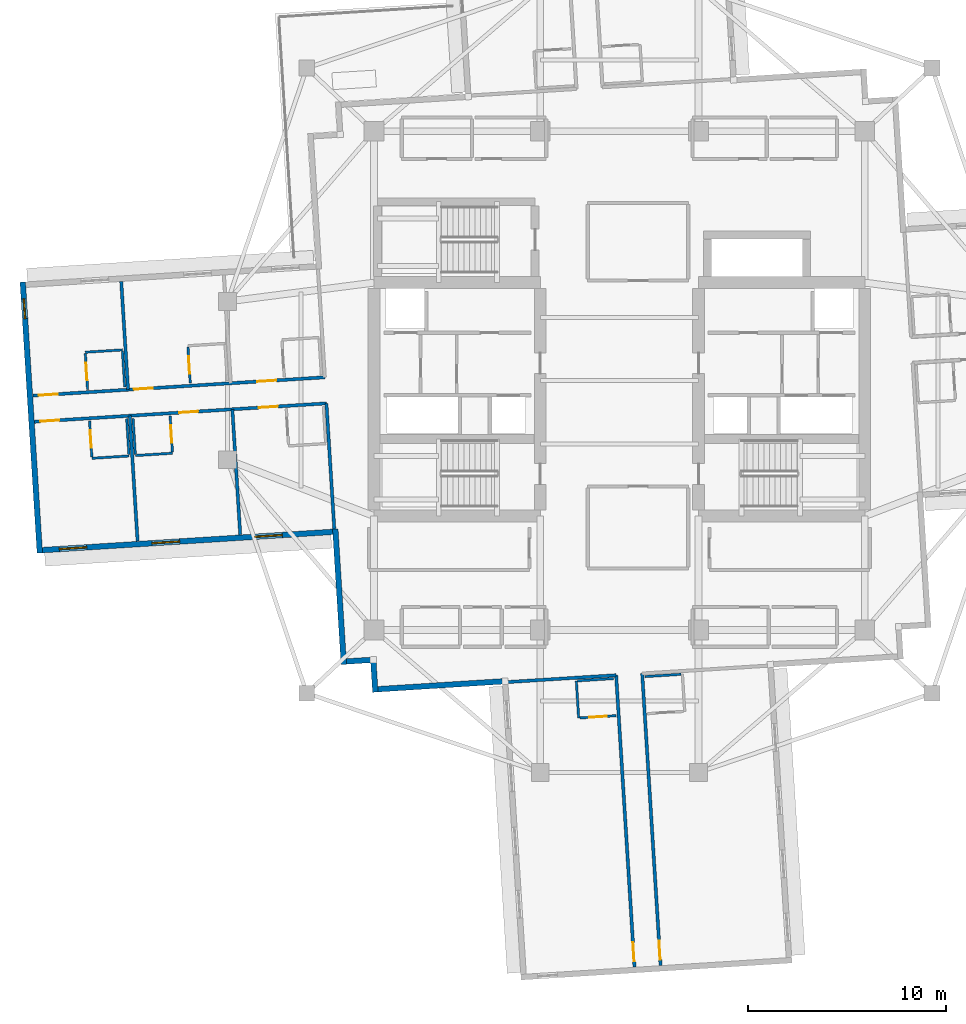
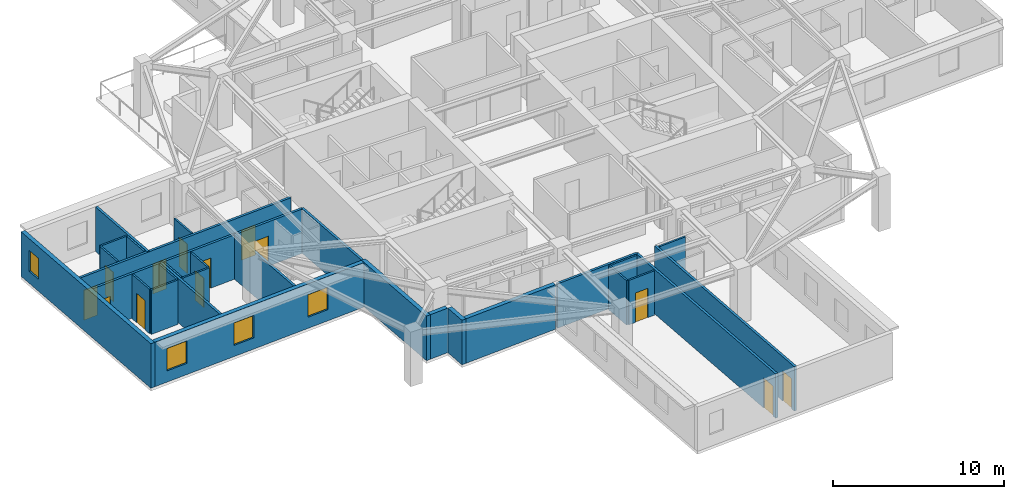
# One storey, part 3 of 13: 29 walls, 13 doors, 4 windows, 17 openings.
"""IFC4 building model written with IfcOpenShell, lengths in metres."""

from ifc_helpers import new_model, si_unit, direction, frame, frame_2d, origin, place, context, subcontext, project, spatial, rectangle, extrude, material, layer, layer_set, type_object, element, fill, save


model = new_model("IFC4")

# Units and contexts
model_context = context("Model", 3, precision=1e-05, world=origin(), true_north=direction((0.0, 1.0)))
body_context = subcontext(model_context, "Body", "Model", "MODEL_VIEW")
ifc_project = project(units=[si_unit("LENGTHUNIT", "METRE"), si_unit("AREAUNIT", "SQUARE_METRE"), si_unit("VOLUMEUNIT", "CUBIC_METRE"), si_unit("PLANEANGLEUNIT", "RADIAN"), si_unit("MASSUNIT", "GRAM", prefix="KILO")], contexts=[model_context])

# Site, building, storey
site_placement = place(None, origin())
site = spatial("IfcSite", under=ifc_project, at=site_placement, CompositionType="ELEMENT")
building_placement = place(site_placement, origin())
building = spatial("IfcBuilding", under=site, at=building_placement, Name="Qingluan Cross Belvedere", CompositionType="ELEMENT")
storey_placement = place(building_placement, frame((0.0, 0.0, 201.300048828125)))
storey = spatial("IfcBuildingStorey", under=building, at=storey_placement, Name="L50", CompositionType="ELEMENT", Elevation=201.300048828125)

# Wall, openings, doors
ifc_material_1 = material(Name="Gypsum plasterboard on steel stud acoustic partition", Category="steel")
ifc_layer_1 = layer(ifc_material_1, 0.159912109375, Name="CorridorPartition_160")
ifc_layer_set_1 = layer_set([ifc_layer_1], Name="Gypsum plasterboard on steel stud acoustic partition")
wall_type_1 = type_object("IfcWallType", Name="CorridorPartition_160", PredefinedType="PARTITIONING", material=ifc_layer_set_1)
wall_1_placement = place(storey_placement, frame((-14.889892578125, 0.165283203125, 0.0), z_axis=(0.0, 0.0, 1.0), x_axis=(-0.998027499025, -0.062778270041, 0.0)))
wall_1 = element("IfcWall", 1, at=wall_1_placement, inside=storey, type_object=wall_type_1, Name="Partition L50:W:c0", PredefinedType="PARTITIONING", context=body_context, shape_type="SweptSolid", body=[
    extrude(rectangle(XDim=14.78173828125, YDim=0.159912109375, at=frame_2d((7.390869140625, 0.0))), origin(), (0.0, 0.0, 1.0), 3.169921875),
])
opening_1_placement = place(wall_1_placement, frame((2.4560546875, 0.0, 0.0)))
opening_1 = element("IfcOpeningElement", 2, at=opening_1_placement, cuts=wall_1, Name="Opening GD-10", PredefinedType="OPENING", context=body_context, shape_type="SweptSolid", body=[
    extrude(rectangle(XDim=0.9599609375, YDim=2.14990234375, at=frame_2d((0.47998046875, 1.074951171875))), frame((0.0, 0.08984375, 0.0), z_axis=(0.0, -1.0, 0.0), x_axis=(1.0, 0.0, 0.0)), (0.0, 0.0, 1.0), 0.179931640625),
])
opening_2_placement = place(wall_1_placement, frame((8.700927734375, 0.0, 0.0)))
opening_2 = element("IfcOpeningElement", 3, at=opening_2_placement, cuts=wall_1, Name="Opening GD-10", PredefinedType="OPENING", context=body_context, shape_type="SweptSolid", body=[
    extrude(rectangle(XDim=0.9599609375, YDim=2.14990234375, at=frame_2d((0.47998046875, 1.074951171875))), frame((0.0, 0.08984375, 0.0), z_axis=(0.0, -1.0, 0.0), x_axis=(1.0, 0.0, 0.0)), (0.0, 0.0, 1.0), 0.179931640625),
])
opening_3_placement = place(wall_1_placement, frame((13.530029296875, 0.0, 0.0)))
opening_3 = element("IfcOpeningElement", 4, at=opening_3_placement, cuts=wall_1, Name="Opening GD-10", PredefinedType="OPENING", context=body_context, shape_type="SweptSolid", body=[
    extrude(rectangle(XDim=0.9599609375, YDim=2.14990234375, at=frame_2d((0.47998046875, 1.074951171875))), frame((0.0, 0.08984375, 0.0), z_axis=(0.0, -1.0, 0.0), x_axis=(1.0, 0.0, 0.0)), (0.0, 0.0, 1.0), 0.179931640625),
])
ifc_material_2 = material(Name="Timber oak fire-rated acoustic guestroom door", Category="wood")
door_type_1 = type_object("IfcDoorType", Name="GuestEntryDoor_FD60", OperationType="NOTDEFINED", PredefinedType="DOOR", material=ifc_material_2)
door_1_placement = place(opening_1_placement, origin())
door_1 = element("IfcDoor", 5, at=door_1_placement, inside=storey, type_object=door_type_1, Name="Guest entry fire door 5007", OperationType="SINGLE_SWING_LEFT", OverallHeight=2.14990234375, OverallWidth=0.9599609375, PredefinedType="DOOR", context=body_context, shape_type="SweptSolid", body=[
    extrude(rectangle(XDim=0.9599609375, YDim=2.14990234375, at=frame_2d((0.47998046875, 1.074951171875))), frame((0.0, 0.02490234375, 0.0), z_axis=(0.0, -1.0, 0.0), x_axis=(1.0, 0.0, 0.0)), (0.0, 0.0, 1.0), 0.050048828125),
])
fill(opening_1, door_1)
door_2_placement = place(opening_2_placement, origin())
door_2 = element("IfcDoor", 6, at=door_2_placement, inside=storey, type_object=door_type_1, Name="Guest entry fire door 5008", OperationType="SINGLE_SWING_LEFT", OverallHeight=2.14990234375, OverallWidth=0.9599609375, PredefinedType="DOOR", context=body_context, shape_type="SweptSolid", body=[
    extrude(rectangle(XDim=0.9599609375, YDim=2.14990234375, at=frame_2d((0.47998046875, 1.074951171875))), frame((0.0, 0.02490234375, 0.0), z_axis=(0.0, -1.0, 0.0), x_axis=(1.0, 0.0, 0.0)), (0.0, 0.0, 1.0), 0.050048828125),
])
fill(opening_2, door_2)
door_3_placement = place(opening_3_placement, origin())
door_3 = element("IfcDoor", 7, at=door_3_placement, inside=storey, type_object=door_type_1, Name="Guest entry fire door 5009", OperationType="SINGLE_SWING_LEFT", OverallHeight=2.14990234375, OverallWidth=0.9599609375, PredefinedType="DOOR", context=body_context, shape_type="SweptSolid", body=[
    extrude(rectangle(XDim=0.9599609375, YDim=2.14990234375, at=frame_2d((0.47998046875, 1.074951171875))), frame((0.0, 0.02490234375, 0.0), z_axis=(0.0, -1.0, 0.0), x_axis=(1.0, 0.0, 0.0)), (0.0, 0.0, 1.0), 0.050048828125),
])
fill(opening_3, door_3)

# Wall
wall_2_placement = place(storey_placement, frame((-24.8310546875, -0.460205078125, 0.0), z_axis=(0.0, 0.0, 1.0), x_axis=(-0.062817133463, 0.998025053665, 0.0)))
element("IfcWall", 8, at=wall_2_placement, inside=storey, type_object=wall_type_1, Name="Partition L50:W:d0_1", PredefinedType="PARTITIONING", context=body_context, shape_type="SweptSolid", body=[
    extrude(rectangle(XDim=5.47216796875, YDim=0.159912109375, at=frame_2d((2.736083984375, 0.0))), origin(), (0.0, 0.0, 1.0), 3.169921875),
])

# Wall, openings, doors
wall_3_placement = place(storey_placement, frame((-14.806884765625, -1.152099609375, 0.0), z_axis=(0.0, 0.0, 1.0), x_axis=(-0.998027564116, -0.062777235242, 0.0)))
wall_3 = element("IfcWall", 9, at=wall_3_placement, inside=storey, type_object=wall_type_1, Name="Partition L50:W:c1", PredefinedType="PARTITIONING", context=body_context, shape_type="SweptSolid", body=[
    extrude(rectangle(XDim=14.781982421875, YDim=0.159912109375, at=frame_2d((7.39111328125, 0.0))), origin(), (0.0, 0.0, 1.0), 3.169921875),
])
opening_4_placement = place(wall_3_placement, frame((2.4560546875, 0.0, 0.0)))
opening_4 = element("IfcOpeningElement", 10, at=opening_4_placement, cuts=wall_3, Name="Opening GD-10", PredefinedType="OPENING", context=body_context, shape_type="SweptSolid", body=[
    extrude(rectangle(XDim=0.9599609375, YDim=2.14990234375, at=frame_2d((0.47998046875, 1.074951171875))), frame((0.0, 0.08984375, 0.0), z_axis=(0.0, -1.0, 0.0), x_axis=(1.0, 0.0, 0.0)), (0.0, 0.0, 1.0), 0.179931640625),
])
opening_5_placement = place(wall_3_placement, frame((6.5009765625, 0.0, 0.0)))
opening_5 = element("IfcOpeningElement", 11, at=opening_5_placement, cuts=wall_3, Name="Opening GD-10", PredefinedType="OPENING", context=body_context, shape_type="SweptSolid", body=[
    extrude(rectangle(XDim=0.9599609375, YDim=2.14990234375, at=frame_2d((0.47998046875, 1.074951171875))), frame((0.0, 0.08984375, 0.0), z_axis=(0.0, -1.0, 0.0), x_axis=(1.0, 0.0, 0.0)), (0.0, 0.0, 1.0), 0.179931640625),
])
opening_6_placement = place(wall_3_placement, frame((13.530029296875, 0.0, 0.0)))
opening_6 = element("IfcOpeningElement", 12, at=opening_6_placement, cuts=wall_3, Name="Opening GD-10", PredefinedType="OPENING", context=body_context, shape_type="SweptSolid", body=[
    extrude(rectangle(XDim=0.9599609375, YDim=2.14990234375, at=frame_2d((0.47998046875, 1.074951171875))), frame((0.0, 0.08984375, 0.0), z_axis=(0.0, -1.0, 0.0), x_axis=(1.0, 0.0, 0.0)), (0.0, 0.0, 1.0), 0.179931640625),
])
door_4_placement = place(opening_4_placement, origin())
door_4 = element("IfcDoor", 13, at=door_4_placement, inside=storey, type_object=door_type_1, Name="Guest entry fire door 5010", OperationType="SINGLE_SWING_LEFT", OverallHeight=2.14990234375, OverallWidth=0.9599609375, PredefinedType="DOOR", context=body_context, shape_type="SweptSolid", body=[
    extrude(rectangle(XDim=0.9599609375, YDim=2.14990234375, at=frame_2d((0.47998046875, 1.074951171875))), frame((0.0, 0.02490234375, 0.0), z_axis=(0.0, -1.0, 0.0), x_axis=(1.0, 0.0, 0.0)), (0.0, 0.0, 1.0), 0.050048828125),
])
fill(opening_4, door_4)
door_5_placement = place(opening_5_placement, origin())
door_5 = element("IfcDoor", 14, at=door_5_placement, inside=storey, type_object=door_type_1, Name="Guest entry fire door 5011", OperationType="SINGLE_SWING_LEFT", OverallHeight=2.14990234375, OverallWidth=0.9599609375, PredefinedType="DOOR", context=body_context, shape_type="SweptSolid", body=[
    extrude(rectangle(XDim=0.9599609375, YDim=2.14990234375, at=frame_2d((0.47998046875, 1.074951171875))), frame((0.0, 0.02490234375, 0.0), z_axis=(0.0, -1.0, 0.0), x_axis=(1.0, 0.0, 0.0)), (0.0, 0.0, 1.0), 0.050048828125),
])
fill(opening_5, door_5)
door_6_placement = place(opening_6_placement, origin())
door_6 = element("IfcDoor", 15, at=door_6_placement, inside=storey, type_object=door_type_1, Name="Guest entry fire door 5012", OperationType="SINGLE_SWING_LEFT", OverallHeight=2.14990234375, OverallWidth=0.9599609375, PredefinedType="DOOR", context=body_context, shape_type="SweptSolid", body=[
    extrude(rectangle(XDim=0.9599609375, YDim=2.14990234375, at=frame_2d((0.47998046875, 1.074951171875))), frame((0.0, 0.02490234375, 0.0), z_axis=(0.0, -1.0, 0.0), x_axis=(1.0, 0.0, 0.0)), (0.0, 0.0, 1.0), 0.050048828125),
])
fill(opening_6, door_6)

# Walls
for number, where, z_axis, x_axis, name in (
    (16, (-14.806884765625, -1.152099609375, 0.0), (0.0, 0.0, 1.0), (0.062804215747, -0.998025866641, 0.0), "Partition L50:W:s1"),
    (17, (-19.560546875, -1.451171875, 0.0), (0.0, 0.0, 1.0), (0.062804215747, -0.998025866641, 0.0), "Partition L50:W:d1_0"),
    (18, (-24.748291015625, -1.777587890625, 0.0), (0.0, 0.0, 1.0), (0.062804215747, -0.998025866641, 0.0), "Partition L50:W:d1_1"),
):
    element("IfcWall", number, at=place(storey_placement, frame(where, z_axis=z_axis, x_axis=x_axis)), inside=storey, type_object=wall_type_1, Name=name, PredefinedType="PARTITIONING", context=body_context, shape_type="SweptSolid", body=[
        extrude(rectangle(XDim=6.351806640625, YDim=0.159912109375, at=frame_2d((3.17578125, 0.0))), origin(), (0.0, 0.0, 1.0), 3.169921875),
    ])

# Wall, opening, door
wall_4_placement = place(storey_placement, frame((1.152099609375, -14.806884765625, 0.0), z_axis=(0.0, 0.0, 1.0), x_axis=(0.062777235242, -0.998027564116, 0.0)))
wall_4 = element("IfcWall", 19, at=wall_4_placement, inside=storey, type_object=wall_type_1, Name="Partition L50:S:c0", PredefinedType="PARTITIONING", context=body_context, shape_type="SweptSolid", body=[
    extrude(rectangle(XDim=14.781982421875, YDim=0.159912109375, at=frame_2d((7.39111328125, 0.0))), origin(), (0.0, 0.0, 1.0), 3.169921875),
])
opening_7_placement = place(wall_4_placement, frame((13.530029296875, 0.0, 0.0)))
opening_7 = element("IfcOpeningElement", 20, at=opening_7_placement, cuts=wall_4, Name="Opening GD-10", PredefinedType="OPENING", context=body_context, shape_type="SweptSolid", body=[
    extrude(rectangle(XDim=0.9599609375, YDim=2.14990234375, at=frame_2d((0.47998046875, 1.074951171875))), frame((0.0, 0.08984375, 0.0), z_axis=(0.0, -1.0, 0.0), x_axis=(1.0, 0.0, 0.0)), (0.0, 0.0, 1.0), 0.179931640625),
])
door_7_placement = place(opening_7_placement, origin())
door_7 = element("IfcDoor", 21, at=door_7_placement, inside=storey, type_object=door_type_1, Name="Guest entry fire door 5017", OperationType="SINGLE_SWING_LEFT", OverallHeight=2.14990234375, OverallWidth=0.9599609375, PredefinedType="DOOR", context=body_context, shape_type="SweptSolid", body=[
    extrude(rectangle(XDim=0.9599609375, YDim=2.14990234375, at=frame_2d((0.47998046875, 1.074951171875))), frame((0.0, 0.02490234375, 0.0), z_axis=(0.0, -1.0, 0.0), x_axis=(1.0, 0.0, 0.0)), (0.0, 0.0, 1.0), 0.050048828125),
])
fill(opening_7, door_7)

wall_5_placement = place(storey_placement, frame((-0.165283203125, -14.889892578125, 0.0), z_axis=(0.0, 0.0, 1.0), x_axis=(0.062778270041, -0.998027499025, 0.0)))
wall_5 = element("IfcWall", 22, at=wall_5_placement, inside=storey, type_object=wall_type_1, Name="Partition L50:S:c1", PredefinedType="PARTITIONING", context=body_context, shape_type="SweptSolid", body=[
    extrude(rectangle(XDim=14.78173828125, YDim=0.159912109375, at=frame_2d((7.390869140625, 0.0))), origin(), (0.0, 0.0, 1.0), 3.169921875),
])
opening_8_placement = place(wall_5_placement, frame((13.530029296875, 0.0, 0.0)))
opening_8 = element("IfcOpeningElement", 23, at=opening_8_placement, cuts=wall_5, Name="Opening GD-10", PredefinedType="OPENING", context=body_context, shape_type="SweptSolid", body=[
    extrude(rectangle(XDim=0.9599609375, YDim=2.14990234375, at=frame_2d((0.47998046875, 1.074951171875))), frame((0.0, 0.08984375, 0.0), z_axis=(0.0, -1.0, 0.0), x_axis=(1.0, 0.0, 0.0)), (0.0, 0.0, 1.0), 0.179931640625),
])
door_8_placement = place(opening_8_placement, origin())
door_8 = element("IfcDoor", 24, at=door_8_placement, inside=storey, type_object=door_type_1, Name="Guest entry fire door 5018", OperationType="SINGLE_SWING_LEFT", OverallHeight=2.14990234375, OverallWidth=0.9599609375, PredefinedType="DOOR", context=body_context, shape_type="SweptSolid", body=[
    extrude(rectangle(XDim=0.9599609375, YDim=2.14990234375, at=frame_2d((0.47998046875, 1.074951171875))), frame((0.0, 0.02490234375, 0.0), z_axis=(0.0, -1.0, 0.0), x_axis=(1.0, 0.0, 0.0)), (0.0, 0.0, 1.0), 0.050048828125),
])
fill(opening_8, door_8)

# Wall
wall_6_placement = place(storey_placement, frame((-0.165283203125, -14.889892578125, 0.0), z_axis=(0.0, 0.0, 1.0), x_axis=(-0.998027992644, -0.062770422171, 0.0)))
element("IfcWall", 25, at=wall_6_placement, inside=storey, type_object=wall_type_1, Name="Partition L50:S:s1", PredefinedType="PARTITIONING", context=body_context, shape_type="SweptSolid", body=[
    extrude(rectangle(XDim=5.6201171875, YDim=0.159912109375, at=frame_2d((2.81005859375, 0.0))), origin(), (0.0, 0.0, 1.0), 3.169921875),
])

# Wall, opening, door
ifc_material_3 = material(Name="Moisture-resistant gypsum board lining")
ifc_layer_2 = layer(ifc_material_3, 0.1201171875, Name="EnsuiteWetPartition_120")
ifc_layer_set_2 = layer_set([ifc_layer_2], Name="Moisture-resistant gypsum board lining")
wall_type_2 = type_object("IfcWallType", Name="EnsuiteWetPartition_120", PredefinedType="PARTITIONING", material=ifc_layer_set_2)
wall_7_placement = place(storey_placement, frame((-21.68798828125, -0.1220703125, 0.0), z_axis=(0.0, 0.0, 1.0), x_axis=(-0.062912758763, 0.998019030272, 0.0)))
wall_7 = element("IfcWall", 26, at=wall_7_placement, inside=storey, type_object=wall_type_2, Name="Partition L50:W:bs0_1", PredefinedType="PARTITIONING", context=body_context, shape_type="SweptSolid", body=[
    extrude(rectangle(XDim=1.820068359375, YDim=0.1201171875, at=frame_2d((0.91015625, 0.0))), origin(), (0.0, 0.0, 1.0), 3.169921875),
])
opening_9_placement = place(wall_7_placement, frame((0.469970703125, 0.0, 0.0)))
opening_9 = element("IfcOpeningElement", 27, at=opening_9_placement, cuts=wall_7, Name="Opening BD-09", PredefinedType="OPENING", context=body_context, shape_type="SweptSolid", body=[
    extrude(rectangle(XDim=0.8798828125, YDim=2.10009765625, at=frame_2d((0.43994140625, 1.050048828125))), frame((0.0, 0.070068359375, 0.0), z_axis=(0.0, -1.0, 0.0), x_axis=(1.0, 0.0, 0.0)), (0.0, 0.0, 1.0), 0.14013671875),
])
ifc_material_4 = material(Name="Moisture-sealed timber en-suite door", Category="wood")
door_type_2 = type_object("IfcDoorType", Name="BathroomDoor_880", OperationType="NOTDEFINED", PredefinedType="DOOR", material=ifc_material_4)
door_9_placement = place(opening_9_placement, origin())
door_9 = element("IfcDoor", 28, at=door_9_placement, inside=storey, type_object=door_type_2, Name="Bathroom door 5008", OperationType="SINGLE_SWING_RIGHT", OverallHeight=2.10009765625, OverallWidth=0.8798828125, PredefinedType="DOOR", context=body_context, shape_type="SweptSolid", body=[
    extrude(rectangle(XDim=0.8798828125, YDim=2.10009765625, at=frame_2d((0.43994140625, 1.050048828125))), frame((0.0, 0.02490234375, 0.0), z_axis=(0.0, -1.0, 0.0), x_axis=(1.0, 0.0, 0.0)), (0.0, 0.0, 1.0), 0.050048828125),
])
fill(opening_9, door_9)

wall_8_placement = place(storey_placement, frame((-26.8759765625, -0.448486328125, 0.0), z_axis=(0.0, 0.0, 1.0), x_axis=(-0.062779145668, 0.998027443946, 0.0)))
wall_8 = element("IfcWall", 29, at=wall_8_placement, inside=storey, type_object=wall_type_2, Name="Partition L50:W:bs0_2", PredefinedType="PARTITIONING", context=body_context, shape_type="SweptSolid", body=[
    extrude(rectangle(XDim=1.820068359375, YDim=0.1201171875, at=frame_2d((0.91015625, 0.0))), origin(), (0.0, 0.0, 1.0), 3.169921875),
])
opening_10_placement = place(wall_8_placement, frame((0.469970703125, 0.0, 0.0)))
opening_10 = element("IfcOpeningElement", 30, at=opening_10_placement, cuts=wall_8, Name="Opening BD-09", PredefinedType="OPENING", context=body_context, shape_type="SweptSolid", body=[
    extrude(rectangle(XDim=0.8798828125, YDim=2.10009765625, at=frame_2d((0.43994140625, 1.050048828125))), frame((0.0, 0.070068359375, 0.0), z_axis=(0.0, -1.0, 0.0), x_axis=(1.0, 0.0, 0.0)), (0.0, 0.0, 1.0), 0.14013671875),
])
door_10_placement = place(opening_10_placement, origin())
door_10 = element("IfcDoor", 31, at=door_10_placement, inside=storey, type_object=door_type_2, Name="Bathroom door 5009", OperationType="SINGLE_SWING_RIGHT", OverallHeight=2.10009765625, OverallWidth=0.8798828125, PredefinedType="DOOR", context=body_context, shape_type="SweptSolid", body=[
    extrude(rectangle(XDim=0.8798828125, YDim=2.10009765625, at=frame_2d((0.43994140625, 1.050048828125))), frame((0.0, 0.02490234375, 0.0), z_axis=(0.0, -1.0, 0.0), x_axis=(1.0, 0.0, 0.0)), (0.0, 0.0, 1.0), 0.050048828125),
])
fill(opening_10, door_10)

# Walls
wall_9_placement = place(storey_placement, frame((-24.99951171875, -0.330322265625, 0.0), z_axis=(0.0, 0.0, 1.0), x_axis=(-0.062912758763, 0.998019030272, 0.0)))
element("IfcWall", 32, at=wall_9_placement, inside=storey, type_object=wall_type_2, Name="Partition L50:W:bw0_2", PredefinedType="PARTITIONING", context=body_context, shape_type="SweptSolid", body=[
    extrude(rectangle(XDim=1.820068359375, YDim=0.1201171875, at=frame_2d((0.91015625, 0.0))), origin(), (0.0, 0.0, 1.0), 3.169921875),
])
wall_10_placement = place(storey_placement, frame((-25.117919921875, 1.55078125, 0.0), z_axis=(0.0, 0.0, 1.0), x_axis=(-0.998030789148, -0.062725942896, 0.0)))
element("IfcWall", 33, at=wall_10_placement, inside=storey, type_object=wall_type_2, Name="Partition L50:W:bn0_2", PredefinedType="PARTITIONING", context=body_context, shape_type="SweptSolid", body=[
    extrude(rectangle(XDim=1.8798828125, YDim=0.1201171875, at=frame_2d((0.93994140625, 0.0))), origin(), (0.0, 0.0, 1.0), 3.169921875),
])

# Wall, opening, door
wall_11_placement = place(storey_placement, frame((-22.589111328125, -3.60546875, 0.0), z_axis=(0.0, 0.0, 1.0), x_axis=(-0.062912758763, 0.998019030272, 0.0)))
wall_11 = element("IfcWall", 34, at=wall_11_placement, inside=storey, type_object=wall_type_2, Name="Partition L50:W:bs1_1", PredefinedType="PARTITIONING", context=body_context, shape_type="SweptSolid", body=[
    extrude(rectangle(XDim=1.820068359375, YDim=0.1201171875, at=frame_2d((0.91015625, 0.0))), origin(), (0.0, 0.0, 1.0), 3.169921875),
])
opening_11_placement = place(wall_11_placement, frame((0.469970703125, 0.0, 0.0)))
opening_11 = element("IfcOpeningElement", 35, at=opening_11_placement, cuts=wall_11, Name="Opening BD-09", PredefinedType="OPENING", context=body_context, shape_type="SweptSolid", body=[
    extrude(rectangle(XDim=0.8798828125, YDim=2.10009765625, at=frame_2d((0.43994140625, 1.050048828125))), frame((0.0, 0.070068359375, 0.0), z_axis=(0.0, -1.0, 0.0), x_axis=(1.0, 0.0, 0.0)), (0.0, 0.0, 1.0), 0.14013671875),
])
door_11_placement = place(opening_11_placement, origin())
door_11 = element("IfcDoor", 36, at=door_11_placement, inside=storey, type_object=door_type_2, Name="Bathroom door 5011", OperationType="SINGLE_SWING_RIGHT", OverallHeight=2.10009765625, OverallWidth=0.8798828125, PredefinedType="DOOR", context=body_context, shape_type="SweptSolid", body=[
    extrude(rectangle(XDim=0.8798828125, YDim=2.10009765625, at=frame_2d((0.43994140625, 1.050048828125))), frame((0.0, 0.02490234375, 0.0), z_axis=(0.0, -1.0, 0.0), x_axis=(1.0, 0.0, 0.0)), (0.0, 0.0, 1.0), 0.050048828125),
])
fill(opening_11, door_11)

# Walls
wall_12_placement = place(storey_placement, frame((-24.465576171875, -3.723388671875, 0.0), z_axis=(0.0, 0.0, 1.0), x_axis=(-0.062779145668, 0.998027443946, 0.0)))
element("IfcWall", 37, at=wall_12_placement, inside=storey, type_object=wall_type_2, Name="Partition L50:W:bw1_1", PredefinedType="PARTITIONING", context=body_context, shape_type="SweptSolid", body=[
    extrude(rectangle(XDim=1.820068359375, YDim=0.1201171875, at=frame_2d((0.91015625, 0.0))), origin(), (0.0, 0.0, 1.0), 3.169921875),
])
wall_13_placement = place(storey_placement, frame((-22.585205078125, -3.67041015625, 0.0), z_axis=(0.0, 0.0, 1.0), x_axis=(-0.998030789148, -0.062725942896, 0.0)))
element("IfcWall", 38, at=wall_13_placement, inside=storey, type_object=wall_type_2, Name="Partition L50:W:bc1_1", PredefinedType="PARTITIONING", context=body_context, shape_type="SweptSolid", body=[
    extrude(rectangle(XDim=1.8798828125, YDim=0.1201171875, at=frame_2d((0.93994140625, 0.0))), origin(), (0.0, 0.0, 1.0), 3.169921875),
])

# Wall, opening, door
wall_14_placement = place(storey_placement, frame((-26.6611328125, -3.86181640625, 0.0), z_axis=(0.0, 0.0, 1.0), x_axis=(-0.062779145668, 0.998027443946, 0.0)))
wall_14 = element("IfcWall", 39, at=wall_14_placement, inside=storey, type_object=wall_type_2, Name="Partition L50:W:bs1_2", PredefinedType="PARTITIONING", context=body_context, shape_type="SweptSolid", body=[
    extrude(rectangle(XDim=1.820068359375, YDim=0.1201171875, at=frame_2d((0.91015625, 0.0))), origin(), (0.0, 0.0, 1.0), 3.169921875),
])
opening_12_placement = place(wall_14_placement, frame((0.469970703125, 0.0, 0.0)))
opening_12 = element("IfcOpeningElement", 40, at=opening_12_placement, cuts=wall_14, Name="Opening BD-09", PredefinedType="OPENING", context=body_context, shape_type="SweptSolid", body=[
    extrude(rectangle(XDim=0.8798828125, YDim=2.10009765625, at=frame_2d((0.43994140625, 1.050048828125))), frame((0.0, 0.070068359375, 0.0), z_axis=(0.0, -1.0, 0.0), x_axis=(1.0, 0.0, 0.0)), (0.0, 0.0, 1.0), 0.14013671875),
])
door_12_placement = place(opening_12_placement, origin())
door_12 = element("IfcDoor", 41, at=door_12_placement, inside=storey, type_object=door_type_2, Name="Bathroom door 5012", OperationType="SINGLE_SWING_RIGHT", OverallHeight=2.10009765625, OverallWidth=0.8798828125, PredefinedType="DOOR", context=body_context, shape_type="SweptSolid", body=[
    extrude(rectangle(XDim=0.8798828125, YDim=2.10009765625, at=frame_2d((0.43994140625, 1.050048828125))), frame((0.0, 0.02490234375, 0.0), z_axis=(0.0, -1.0, 0.0), x_axis=(1.0, 0.0, 0.0)), (0.0, 0.0, 1.0), 0.050048828125),
])
fill(opening_12, door_12)

# Walls
wall_15_placement = place(storey_placement, frame((-24.784912109375, -3.74365234375, 0.0), z_axis=(0.0, 0.0, 1.0), x_axis=(-0.062779145668, 0.998027443946, 0.0)))
element("IfcWall", 42, at=wall_15_placement, inside=storey, type_object=wall_type_2, Name="Partition L50:W:bw1_2", PredefinedType="PARTITIONING", context=body_context, shape_type="SweptSolid", body=[
    extrude(rectangle(XDim=1.820068359375, YDim=0.1201171875, at=frame_2d((0.91015625, 0.0))), origin(), (0.0, 0.0, 1.0), 3.169921875),
])
wall_16_placement = place(storey_placement, frame((-24.78076171875, -3.80859375, 0.0), z_axis=(0.0, 0.0, 1.0), x_axis=(-0.998030789148, -0.062725942896, 0.0)))
element("IfcWall", 43, at=wall_16_placement, inside=storey, type_object=wall_type_2, Name="Partition L50:W:bc1_2", PredefinedType="PARTITIONING", context=body_context, shape_type="SweptSolid", body=[
    extrude(rectangle(XDim=1.8798828125, YDim=0.1201171875, at=frame_2d((0.93994140625, 0.0))), origin(), (0.0, 0.0, 1.0), 3.169921875),
])
wall_17_placement = place(storey_placement, frame((1.3017578125, -14.957763671875, 0.0), z_axis=(0.0, 0.0, 1.0), x_axis=(0.998027443946, 0.062779145668, 0.0)))
element("IfcWall", 44, at=wall_17_placement, inside=storey, type_object=wall_type_2, Name="Partition L50:S:bw0_0", PredefinedType="PARTITIONING", context=body_context, shape_type="SweptSolid", body=[
    extrude(rectangle(XDim=1.820068359375, YDim=0.1201171875, at=frame_2d((0.91015625, 0.0))), origin(), (0.0, 0.0, 1.0), 3.169921875),
])

# Wall, opening, door
wall_18_placement = place(storey_placement, frame((-1.993408203125, -17.048828125, 0.0), z_axis=(0.0, 0.0, 1.0), x_axis=(0.998027443946, 0.062779145668, 0.0)))
wall_18 = element("IfcWall", 45, at=wall_18_placement, inside=storey, type_object=wall_type_2, Name="Partition L50:S:bs1_0", PredefinedType="PARTITIONING", context=body_context, shape_type="SweptSolid", body=[
    extrude(rectangle(XDim=1.820068359375, YDim=0.1201171875, at=frame_2d((0.91015625, 0.0))), origin(), (0.0, 0.0, 1.0), 3.169921875),
])
opening_13_placement = place(wall_18_placement, frame((0.469970703125, 0.0, 0.0)))
opening_13 = element("IfcOpeningElement", 46, at=opening_13_placement, cuts=wall_18, Name="Opening BD-09", PredefinedType="OPENING", context=body_context, shape_type="SweptSolid", body=[
    extrude(rectangle(XDim=0.8798828125, YDim=2.10009765625, at=frame_2d((0.43994140625, 1.050048828125))), frame((0.0, 0.070068359375, 0.0), z_axis=(0.0, -1.0, 0.0), x_axis=(1.0, 0.0, 0.0)), (0.0, 0.0, 1.0), 0.14013671875),
])
door_13_placement = place(opening_13_placement, origin())
door_13 = element("IfcDoor", 47, at=door_13_placement, inside=storey, type_object=door_type_2, Name="Bathroom door 5018", OperationType="SINGLE_SWING_RIGHT", OverallHeight=2.10009765625, OverallWidth=0.8798828125, PredefinedType="DOOR", context=body_context, shape_type="SweptSolid", body=[
    extrude(rectangle(XDim=0.8798828125, YDim=2.10009765625, at=frame_2d((0.43994140625, 1.050048828125))), frame((0.0, 0.02490234375, 0.0), z_axis=(0.0, -1.0, 0.0), x_axis=(1.0, 0.0, 0.0)), (0.0, 0.0, 1.0), 0.050048828125),
])
fill(opening_13, door_13)

# Walls
wall_19_placement = place(storey_placement, frame((-2.111572265625, -15.172607421875, 0.0), z_axis=(0.0, 0.0, 1.0), x_axis=(0.998019030272, 0.062912758763, 0.0)))
element("IfcWall", 48, at=wall_19_placement, inside=storey, type_object=wall_type_2, Name="Partition L50:S:bw1_0", PredefinedType="PARTITIONING", context=body_context, shape_type="SweptSolid", body=[
    extrude(rectangle(XDim=1.820068359375, YDim=0.1201171875, at=frame_2d((0.91015625, 0.0))), origin(), (0.0, 0.0, 1.0), 3.169921875),
])
wall_20_placement = place(storey_placement, frame((-2.17626953125, -15.176513671875, 0.0), z_axis=(0.0, 0.0, 1.0), x_axis=(0.062717813936, -0.998031300018, 0.0)))
element("IfcWall", 49, at=wall_20_placement, inside=storey, type_object=wall_type_2, Name="Partition L50:S:bc1_0", PredefinedType="PARTITIONING", context=body_context, shape_type="SweptSolid", body=[
    extrude(rectangle(XDim=1.880126953125, YDim=0.1201171875, at=frame_2d((0.93994140625, 0.0))), origin(), (0.0, 0.0, 1.0), 3.169921875),
])

# Wall, openings, windows
ifc_material_5 = material(Name="Precast concrete C45", Category="concrete")
ifc_layer_3 = layer(ifc_material_5, 0.280029296875, Name="PrecastFacadeWall_280")
ifc_layer_set_3 = layer_set([ifc_layer_3], Name="Precast concrete C45")
wall_type_3 = type_object("IfcWallType", Name="PrecastFacadeWall_280", PredefinedType="STANDARD", material=ifc_layer_set_3)
wall_21_placement = place(storey_placement, frame((-29.15966796875, -8.56787109375, 0.0), z_axis=(0.0, 0.0, 1.0), x_axis=(0.998026448555, 0.062794967833, 0.0)))
wall_21 = element("IfcWall", 50, at=wall_21_placement, inside=storey, type_object=wall_type_3, Name="Facade wall L50-WB", PredefinedType="STANDARD", context=body_context, shape_type="SweptSolid", body=[
    extrude(rectangle(XDim=14.7001953125, YDim=0.280029296875, at=frame_2d((7.35009765625, 0.0))), origin(), (0.0, 0.0, 1.0), 3.179931640625),
])
opening_14_placement = place(wall_21_placement, frame((0.85009765625, 0.0, 0.800048828125)))
opening_14 = element("IfcOpeningElement", 51, at=opening_14_placement, cuts=wall_21, Name="Opening W-01", PredefinedType="OPENING", context=body_context, shape_type="SweptSolid", body=[
    extrude(rectangle(XDim=1.39990234375, YDim=1.60009765625, at=frame_2d((0.699951171875, 0.800048828125))), frame((0.0, 0.14990234375, 0.0), z_axis=(0.0, -1.0, 0.0), x_axis=(1.0, 0.0, 0.0)), (0.0, 0.0, 1.0), 0.300048828125),
])
opening_15_placement = place(wall_21_placement, frame((5.550048828125, 0.0, 0.800048828125)))
opening_15 = element("IfcOpeningElement", 52, at=opening_15_placement, cuts=wall_21, Name="Opening W-01", PredefinedType="OPENING", context=body_context, shape_type="SweptSolid", body=[
    extrude(rectangle(XDim=1.39990234375, YDim=1.60009765625, at=frame_2d((0.699951171875, 0.800048828125))), frame((0.0, 0.14990234375, 0.0), z_axis=(0.0, -1.0, 0.0), x_axis=(1.0, 0.0, 0.0)), (0.0, 0.0, 1.0), 0.300048828125),
])
opening_16_placement = place(wall_21_placement, frame((10.75, 0.0, 0.800048828125)))
opening_16 = element("IfcOpeningElement", 53, at=opening_16_placement, cuts=wall_21, Name="Opening W-01", PredefinedType="OPENING", context=body_context, shape_type="SweptSolid", body=[
    extrude(rectangle(XDim=1.39990234375, YDim=1.60009765625, at=frame_2d((0.699951171875, 0.800048828125))), frame((0.0, 0.14990234375, 0.0), z_axis=(0.0, -1.0, 0.0), x_axis=(1.0, 0.0, 0.0)), (0.0, 0.0, 1.0), 0.300048828125),
])
ifc_material_6 = material(Name="Thermally broken triple Low-E glass in aluminium frame", Category="aluminium")
window_type_1 = type_object("IfcWindowType", Name="TriRibbonWin_1400x1600", PartitioningType="SINGLE_PANEL", PredefinedType="WINDOW", material=ifc_material_6)
window_1_placement = place(opening_14_placement, origin())
window_1 = element("IfcWindow", 54, at=window_1_placement, inside=storey, type_object=window_type_1, Name="Ribbon window L50-WB-1", OverallHeight=1.60009765625, OverallWidth=1.39990234375, PartitioningType="SINGLE_PANEL", PredefinedType="WINDOW", context=body_context, shape_type="SweptSolid", body=[
    extrude(rectangle(XDim=1.39990234375, YDim=1.60009765625, at=frame_2d((0.699951171875, 0.800048828125))), frame((0.0, 0.030029296875, 0.0), z_axis=(0.0, -1.0, 0.0), x_axis=(1.0, 0.0, 0.0)), (0.0, 0.0, 1.0), 0.06005859375),
])
fill(opening_14, window_1)
window_2_placement = place(opening_15_placement, origin())
window_2 = element("IfcWindow", 55, at=window_2_placement, inside=storey, type_object=window_type_1, Name="Ribbon window L50-WB-2", OverallHeight=1.60009765625, OverallWidth=1.39990234375, PartitioningType="SINGLE_PANEL", PredefinedType="WINDOW", context=body_context, shape_type="SweptSolid", body=[
    extrude(rectangle(XDim=1.39990234375, YDim=1.60009765625, at=frame_2d((0.699951171875, 0.800048828125))), frame((0.0, 0.030029296875, 0.0), z_axis=(0.0, -1.0, 0.0), x_axis=(1.0, 0.0, 0.0)), (0.0, 0.0, 1.0), 0.06005859375),
])
fill(opening_15, window_2)
window_3_placement = place(opening_16_placement, origin())
window_3 = element("IfcWindow", 56, at=window_3_placement, inside=storey, type_object=window_type_1, Name="Ribbon window L50-WB-3", OverallHeight=1.60009765625, OverallWidth=1.39990234375, PartitioningType="SINGLE_PANEL", PredefinedType="WINDOW", context=body_context, shape_type="SweptSolid", body=[
    extrude(rectangle(XDim=1.39990234375, YDim=1.60009765625, at=frame_2d((0.699951171875, 0.800048828125))), frame((0.0, 0.030029296875, 0.0), z_axis=(0.0, -1.0, 0.0), x_axis=(1.0, 0.0, 0.0)), (0.0, 0.0, 1.0), 0.06005859375),
])
fill(opening_16, window_3)

# Wall, opening, window
wall_22_placement = place(storey_placement, frame((-30.152099609375, 4.9765625, 0.0), z_axis=(0.0, 0.0, 1.0), x_axis=(0.062797041623, -0.998026318072, 0.0)))
wall_22 = element("IfcWall", 57, at=wall_22_placement, inside=storey, type_object=wall_type_3, Name="Arm tip precast facade wall L50-W", PredefinedType="STANDARD", context=body_context, shape_type="SweptSolid", body=[
    extrude(rectangle(XDim=13.719970703125, YDim=0.280029296875, at=frame_2d((6.85986328125, 0.0))), origin(), (0.0, 0.0, 1.0), 3.179931640625),
])
opening_17_placement = place(wall_22_placement, frame((0.85009765625, 0.0, 0.85009765625)))
opening_17 = element("IfcOpeningElement", 58, at=opening_17_placement, cuts=wall_22, Name="Opening W-03", PredefinedType="OPENING", context=body_context, shape_type="SweptSolid", body=[
    extrude(rectangle(XDim=1.0, YDim=1.5, at=frame_2d((0.5, 0.75))), frame((0.0, 0.14990234375, 0.0), z_axis=(0.0, -1.0, 0.0), x_axis=(1.0, 0.0, 0.0)), (0.0, 0.0, 1.0), 0.300048828125),
])
ifc_material_7 = material(Name="Thermally broken triple Low-E glass in aluminium frame", Category="aluminium")
window_type_2 = type_object("IfcWindowType", Name="TriApexWin_1000x1500", PartitioningType="SINGLE_PANEL", PredefinedType="WINDOW", material=ifc_material_7)
window_4_placement = place(opening_17_placement, origin())
window_4 = element("IfcWindow", 59, at=window_4_placement, inside=storey, type_object=window_type_2, Name="Arm tip triangular window L50-W", OverallHeight=1.5, OverallWidth=1.0, PartitioningType="SINGLE_PANEL", PredefinedType="WINDOW", context=body_context, shape_type="SweptSolid", body=[
    extrude(rectangle(XDim=1.0, YDim=1.5, at=frame_2d((0.5, 0.75))), frame((0.0, 0.030029296875, 0.0), z_axis=(0.0, -1.0, 0.0), x_axis=(1.0, 0.0, 0.0)), (0.0, 0.0, 1.0), 0.06005859375),
])
fill(opening_17, window_4)

# Walls
wall_23_placement = place(storey_placement, frame((-14.357666015625, -7.496337890625, 0.0), z_axis=(0.0, 0.0, 1.0), x_axis=(0.062779317195, -0.998027433156, 0.0)))
element("IfcWall", 60, at=wall_23_placement, inside=storey, type_object=wall_type_3, Name="Corner wall L50-SW1", PredefinedType="STANDARD", context=body_context, shape_type="SweptSolid", body=[
    extrude(rectangle(XDim=6.85986328125, YDim=0.280029296875, at=frame_2d((3.429931640625, 0.0))), origin(), (0.0, 0.0, 1.0), 3.179931640625),
])
wall_24_placement = place(storey_placement, frame((-13.7958984375, -14.1943359375, 0.0), z_axis=(0.0, 0.0, 1.0), x_axis=(0.998023660242, 0.06283926796, 0.0)))
element("IfcWall", 61, at=wall_24_placement, inside=storey, type_object=wall_type_3, Name="Corner wall L50-SW2", PredefinedType="STANDARD", context=body_context, shape_type="SweptSolid", body=[
    extrude(rectangle(XDim=1.219970703125, YDim=0.280029296875, at=frame_2d((0.60986328125, 0.0))), origin(), (0.0, 0.0, 1.0), 3.179931640625),
])
wall_25_placement = place(storey_placement, frame((-12.429931640625, -14.24853515625, 0.0), z_axis=(0.0, 0.0, 1.0), x_axis=(0.062824119533, -0.998024613927, 0.0)))
element("IfcWall", 62, at=wall_25_placement, inside=storey, type_object=wall_type_3, Name="Corner wall L50-SW3", PredefinedType="STANDARD", context=body_context, shape_type="SweptSolid", body=[
    extrude(rectangle(XDim=1.5, YDim=0.280029296875, at=frame_2d((0.75, 0.0))), origin(), (0.0, 0.0, 1.0), 3.179931640625),
])
wall_26_placement = place(storey_placement, frame((-12.20458984375, -15.59716796875, 0.0), z_axis=(0.0, 0.0, 1.0), x_axis=(0.998024885752, 0.062819801181, 0.0)))
element("IfcWall", 63, at=wall_26_placement, inside=storey, type_object=wall_type_3, Name="Corner wall L50-SW4", PredefinedType="STANDARD", context=body_context, shape_type="SweptSolid", body=[
    extrude(rectangle(XDim=6.2998046875, YDim=0.280029296875, at=frame_2d((3.14990234375, 0.0))), origin(), (0.0, 0.0, 1.0), 3.179931640625),
])

save(model, "model.ifc")
